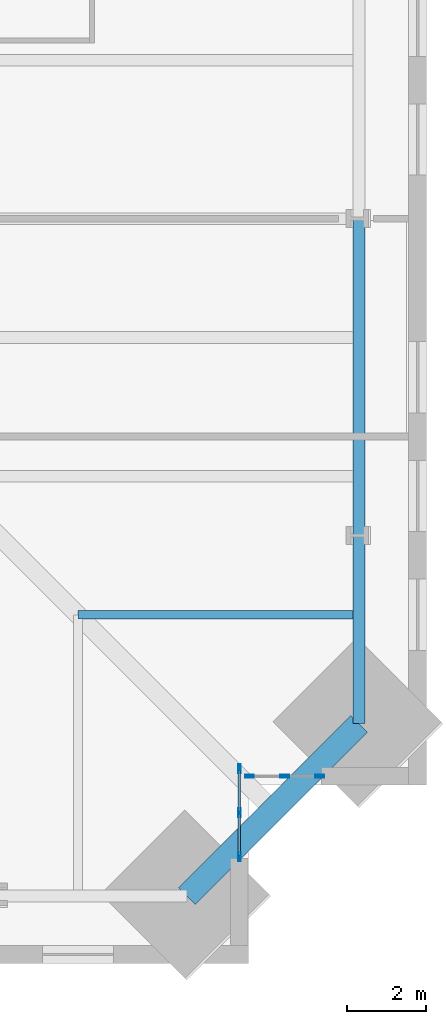
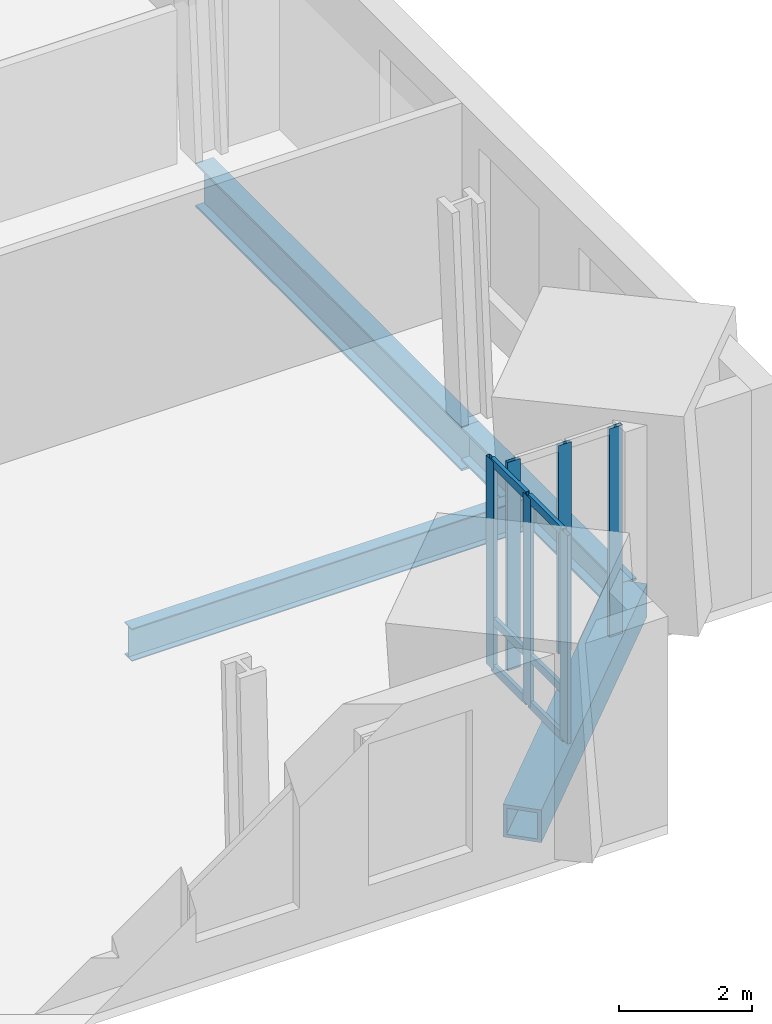
# One storey, part 4 of 17: 12 members, 4 beams, 2 elements without a shape of their own.
"""IFC4 building model written with IfcOpenShell, lengths in metres."""

from ifc_helpers import new_model, si_unit, direction, frame, origin, origin_2d, place, context, subcontext, project, spatial, hollow_rectangle, i_section, extrude, material, material_profile, profile_set, type_object, element, aggregate, save


model = new_model("IFC4")

# Units and contexts
model_context = context("Model", 3, precision=1e-05, world=origin(), true_north=direction((0.0, 1.0)))
body_context = subcontext(model_context, "Body", "Model", "MODEL_VIEW")
ifc_project = project(units=[si_unit("LENGTHUNIT", "METRE"), si_unit("AREAUNIT", "SQUARE_METRE"), si_unit("VOLUMEUNIT", "CUBIC_METRE"), si_unit("PLANEANGLEUNIT", "RADIAN"), si_unit("MASSUNIT", "GRAM", prefix="KILO")], contexts=[model_context])

# Site, building, storey
site_placement = place(None, origin())
site = spatial("IfcSite", under=ifc_project, at=site_placement, CompositionType="ELEMENT")
building_placement = place(site_placement, origin())
building = spatial("IfcBuilding", under=site, at=building_placement, Name="Peilmerk Tower", CompositionType="ELEMENT")
storey_placement = place(building_placement, frame((0.0, 0.0, 143.800048828125)))
storey = spatial("IfcBuildingStorey", under=building, at=storey_placement, Name="L29", CompositionType="ELEMENT", Elevation=143.800048828125)

# Beams
ifc_material_1 = material(Name="Steel S355", Category="steel")
ifc_material_profile_1 = material_profile(ifc_material_1, i_section(OverallWidth=0.219970703125, OverallDepth=0.60009765625, WebThickness=0.011962890625, FlangeThickness=0.01904296875, at=origin_2d()), Name="IPE 600")
ifc_profile_set_1 = profile_set([ifc_material_profile_1], Name="Steel S355")
beam_type_1 = type_object("IfcBeamType", Name="B10 IPE 600 floor beam", PredefinedType="BEAM", material=ifc_profile_set_1)
beam_1_placement = place(storey_placement, frame((18.0, -18.0, -0.469970703125), z_axis=(1.0, 0.0, 0.0), x_axis=(0.0, 1.0, 0.0)))
element("IfcBeam", 1, at=beam_1_placement, inside=storey, type_object=beam_type_1, Name="Floor beam L29", PredefinedType="BEAM", context=body_context, shape_type="SweptSolid", body=[
    extrude(i_section(OverallWidth=0.219970703125, OverallDepth=0.60009765625, WebThickness=0.011962890625, FlangeThickness=0.01904296875, at=origin_2d()), origin(), (0.0, 0.0, 1.0), 7.098388671875),
])
ifc_material_profile_2 = material_profile(ifc_material_1, i_section(OverallWidth=0.302978515625, OverallDepth=0.81396484375, WebThickness=0.02099609375, FlangeThickness=0.0400390625, at=origin_2d()), Name="HEM 800")
ifc_profile_set_2 = profile_set([ifc_material_profile_2], Name="Steel S355")
beam_type_2 = type_object("IfcBeamType", Name="B15 HEM 800 edge beam", PredefinedType="SPANDREL", material=ifc_profile_set_2)
beam_2_placement = place(storey_placement, frame((25.098388671875, -16.0, -0.5771484375), z_axis=(0.0, 1.0, 0.0), x_axis=(-1.0, 0.0, 0.0)))
element("IfcBeam", 2, at=beam_2_placement, inside=storey, type_object=beam_type_2, Name="Edge beam L29", PredefinedType="SPANDREL", context=body_context, shape_type="SweptSolid", body=[
    extrude(i_section(OverallWidth=0.302978515625, OverallDepth=0.81396484375, WebThickness=0.02099609375, FlangeThickness=0.0400390625, at=origin_2d()), origin(), (0.0, 0.0, 1.0), 8.0),
])
ifc_material_2 = material(Name="Steel S460", Category="steel")
ifc_material_profile_3 = material_profile(ifc_material_2, hollow_rectangle(XDim=0.60009765625, YDim=0.60009765625, WallThickness=0.06005859375, at=origin_2d()), Name="BOX 600x600x60")
ifc_profile_set_3 = profile_set([ifc_material_profile_3], Name="Steel S460")
beam_type_3 = type_object("IfcBeamType", Name="B20 BOX 600x600x60 notch beam", PredefinedType="SPANDREL", material=ifc_profile_set_3)
beam_3_placement = place(storey_placement, frame((25.098388671875, -20.748291015625, -0.469970703125), z_axis=(-0.707106781187, -0.707106781187, 0.0), x_axis=(0.707106781187, -0.707106781187, 0.0)))
element("IfcBeam", 3, at=beam_3_placement, inside=storey, type_object=beam_type_3, Name="Notch beam L29", PredefinedType="SPANDREL", context=body_context, shape_type="SweptSolid", body=[
    extrude(hollow_rectangle(XDim=0.60009765625, YDim=0.60009765625, WallThickness=0.06005859375, at=origin_2d()), origin(), (0.0, 0.0, 1.0), 6.15185546875),
])
ifc_material_profile_4 = material_profile(ifc_material_1, i_section(OverallWidth=0.304931640625, OverallDepth=0.6201171875, WebThickness=0.02099609375, FlangeThickness=0.0400390625, at=origin_2d()), Name="HEM 600")
ifc_profile_set_4 = profile_set([ifc_material_profile_4], Name="Steel S355")
beam_type_4 = type_object("IfcBeamType", Name="B31 HEM 600 edge beam", PredefinedType="SPANDREL", material=ifc_profile_set_4)
beam_4_placement = place(storey_placement, frame((25.098388671875, -20.748291015625, -0.47998046875), z_axis=(0.0, 1.0, 0.0), x_axis=(-1.0, 0.0, 0.0)))
element("IfcBeam", 4, at=beam_4_placement, inside=storey, type_object=beam_type_4, Name="Edge beam L29", PredefinedType="SPANDREL", context=body_context, shape_type="SweptSolid", body=[
    extrude(i_section(OverallWidth=0.304931640625, OverallDepth=0.6201171875, WebThickness=0.02099609375, FlangeThickness=0.0400390625, at=origin_2d()), origin(), (0.0, 0.0, 1.0), 4.748291015625),
])

# Curtain wall, members
ifc_material_3 = material(Name="Aluminium stick curtain wall", Category="aluminium")
curtain_wall_type = type_object("IfcCurtainWallType", Name="CW3 stick curtain wall, 2250 module", PredefinedType="NOTDEFINED", material=ifc_material_3)
curtain_wall_1_placement = place(storey_placement, origin())
curtain_wall_1 = element("IfcCurtainWall", 5, at=curtain_wall_1_placement, inside=storey, type_object=curtain_wall_type, Name="Curtain wall CW3 SEA L29", PredefinedType="NOTDEFINED")
ifc_material_4 = material(Name="Aluminium EN AW-6063 T6", Category="aluminium")
ifc_material_profile_5 = material_profile(ifc_material_4, hollow_rectangle(XDim=0.06494140625, YDim=0.22509765625, WallThickness=0.00390625, at=origin_2d()), Name="AL 225x65x4")
ifc_profile_set_5 = profile_set([ifc_material_profile_5], Name="Aluminium EN AW-6063 T6")
member_type_1 = type_object("IfcMemberType", Name="CW3-M AL 225x65x4 mullion", PredefinedType="MULLION", material=ifc_profile_set_5)
member_1_placement = place(storey_placement, frame((22.074951171875, -21.882568359375, 0.0), z_axis=(0.0, 0.0, 1.0), x_axis=(1.0, 0.0, 0.0)))
member_1 = element("IfcMember", 6, at=member_1_placement, type_object=member_type_1, Name="CW3 mullion 1", PredefinedType="MULLION", context=body_context, shape_type="SweptSolid", body=[
    extrude(hollow_rectangle(XDim=0.06494140625, YDim=0.22509765625, WallThickness=0.00390625, at=origin_2d()), origin(), (0.0, 0.0, 1.0), 3.829833984375),
])
member_2_placement = place(storey_placement, frame((22.074951171875, -22.994384765625, 0.0), z_axis=(0.0, 0.0, 1.0), x_axis=(1.0, 0.0, 0.0)))
member_2 = element("IfcMember", 7, at=member_2_placement, type_object=member_type_1, Name="CW3 mullion 2", PredefinedType="MULLION", context=body_context, shape_type="SweptSolid", body=[
    extrude(hollow_rectangle(XDim=0.06494140625, YDim=0.22509765625, WallThickness=0.00390625, at=origin_2d()), origin(), (0.0, 0.0, 1.0), 3.829833984375),
])
member_3_placement = place(storey_placement, frame((22.074951171875, -24.106201171875, 0.0), z_axis=(0.0, 0.0, 1.0), x_axis=(1.0, 0.0, 0.0)))
member_3 = element("IfcMember", 8, at=member_3_placement, type_object=member_type_1, Name="CW3 mullion 3", PredefinedType="MULLION", context=body_context, shape_type="SweptSolid", body=[
    extrude(hollow_rectangle(XDim=0.06494140625, YDim=0.22509765625, WallThickness=0.00390625, at=origin_2d()), origin(), (0.0, 0.0, 1.0), 3.829833984375),
])

curtain_wall_2_placement = place(storey_placement, origin())
curtain_wall_2 = element("IfcCurtainWall", 9, at=curtain_wall_2_placement, inside=storey, type_object=curtain_wall_type, Name="Curtain wall CW3 SEB L29", PredefinedType="NOTDEFINED")
member_4_placement = place(storey_placement, frame((22.33251953125, -22.074951171875, 0.0), z_axis=(0.0, 0.0, 1.0), x_axis=(0.0, 1.0, 0.0)))
member_4 = element("IfcMember", 10, at=member_4_placement, type_object=member_type_1, Name="CW3 mullion 1", PredefinedType="MULLION", context=body_context, shape_type="SweptSolid", body=[
    extrude(hollow_rectangle(XDim=0.06494140625, YDim=0.22509765625, WallThickness=0.00390625, at=origin_2d()), origin(), (0.0, 0.0, 1.0), 3.829833984375),
])
member_5_placement = place(storey_placement, frame((23.21923828125, -22.074951171875, 0.0), z_axis=(0.0, 0.0, 1.0), x_axis=(0.0, 1.0, 0.0)))
member_5 = element("IfcMember", 11, at=member_5_placement, type_object=member_type_1, Name="CW3 mullion 2", PredefinedType="MULLION", context=body_context, shape_type="SweptSolid", body=[
    extrude(hollow_rectangle(XDim=0.06494140625, YDim=0.22509765625, WallThickness=0.00390625, at=origin_2d()), origin(), (0.0, 0.0, 1.0), 3.829833984375),
])
member_6_placement = place(storey_placement, frame((24.106201171875, -22.074951171875, 0.0), z_axis=(0.0, 0.0, 1.0), x_axis=(0.0, 1.0, 0.0)))
member_6 = element("IfcMember", 12, at=member_6_placement, type_object=member_type_1, Name="CW3 mullion 3", PredefinedType="MULLION", context=body_context, shape_type="SweptSolid", body=[
    extrude(hollow_rectangle(XDim=0.06494140625, YDim=0.22509765625, WallThickness=0.00390625, at=origin_2d()), origin(), (0.0, 0.0, 1.0), 3.829833984375),
])
aggregate(curtain_wall_2, [member_4, member_5, member_6])

# Member
ifc_material_profile_6 = material_profile(ifc_material_4, hollow_rectangle(XDim=0.06494140625, YDim=0.14990234375, WallThickness=0.0029296875, at=origin_2d()), Name="AL 150x65x3")
ifc_profile_set_6 = profile_set([ifc_material_profile_6], Name="Aluminium EN AW-6063 T6")
member_type_2 = type_object("IfcMemberType", Name="CW3-T AL 150x65x3 transom", PredefinedType="USERDEFINED", material=ifc_profile_set_6)
member_7_placement = place(storey_placement, frame((22.074951171875, -21.9150390625, 0.032470703125), z_axis=(0.0, -1.0, 0.0), x_axis=(1.0, 0.0, 0.0)))
member_7 = element("IfcMember", 13, at=member_7_placement, type_object=member_type_2, Name="CW3 transom 1.1", ObjectType="TRANSOM", PredefinedType="USERDEFINED", context=body_context, shape_type="SweptSolid", body=[
    extrude(hollow_rectangle(XDim=0.06494140625, YDim=0.14990234375, WallThickness=0.0029296875, at=origin_2d()), origin(), (0.0, 0.0, 1.0), 1.046875),
])

member_8_placement = place(storey_placement, frame((22.074951171875, -21.9150390625, 0.89990234375), z_axis=(0.0, -1.0, 0.0), x_axis=(1.0, 0.0, 0.0)))
member_8 = element("IfcMember", 14, at=member_8_placement, type_object=member_type_2, Name="CW3 transom 1.2", ObjectType="TRANSOM", PredefinedType="USERDEFINED", context=body_context, shape_type="SweptSolid", body=[
    extrude(hollow_rectangle(XDim=0.06494140625, YDim=0.14990234375, WallThickness=0.0029296875, at=origin_2d()), origin(), (0.0, 0.0, 1.0), 1.046875),
])

member_9_placement = place(storey_placement, frame((22.074951171875, -21.9150390625, 3.79736328125), z_axis=(0.0, -1.0, 0.0), x_axis=(1.0, 0.0, 0.0)))
member_9 = element("IfcMember", 15, at=member_9_placement, type_object=member_type_2, Name="CW3 transom 1.3", ObjectType="TRANSOM", PredefinedType="USERDEFINED", context=body_context, shape_type="SweptSolid", body=[
    extrude(hollow_rectangle(XDim=0.06494140625, YDim=0.14990234375, WallThickness=0.0029296875, at=origin_2d()), origin(), (0.0, 0.0, 1.0), 1.046875),
])

member_10_placement = place(storey_placement, frame((22.074951171875, -23.02685546875, 0.032470703125), z_axis=(0.0, -1.0, 0.0), x_axis=(1.0, 0.0, 0.0)))
member_10 = element("IfcMember", 16, at=member_10_placement, type_object=member_type_2, Name="CW3 transom 2.1", ObjectType="TRANSOM", PredefinedType="USERDEFINED", context=body_context, shape_type="SweptSolid", body=[
    extrude(hollow_rectangle(XDim=0.06494140625, YDim=0.14990234375, WallThickness=0.0029296875, at=origin_2d()), origin(), (0.0, 0.0, 1.0), 1.046875),
])

member_11_placement = place(storey_placement, frame((22.074951171875, -23.02685546875, 0.89990234375), z_axis=(0.0, -1.0, 0.0), x_axis=(1.0, 0.0, 0.0)))
member_11 = element("IfcMember", 17, at=member_11_placement, type_object=member_type_2, Name="CW3 transom 2.2", ObjectType="TRANSOM", PredefinedType="USERDEFINED", context=body_context, shape_type="SweptSolid", body=[
    extrude(hollow_rectangle(XDim=0.06494140625, YDim=0.14990234375, WallThickness=0.0029296875, at=origin_2d()), origin(), (0.0, 0.0, 1.0), 1.046875),
])

member_12_placement = place(storey_placement, frame((22.074951171875, -23.02685546875, 3.79736328125), z_axis=(0.0, -1.0, 0.0), x_axis=(1.0, 0.0, 0.0)))
member_12 = element("IfcMember", 18, at=member_12_placement, type_object=member_type_2, Name="CW3 transom 2.3", ObjectType="TRANSOM", PredefinedType="USERDEFINED", context=body_context, shape_type="SweptSolid", body=[
    extrude(hollow_rectangle(XDim=0.06494140625, YDim=0.14990234375, WallThickness=0.0029296875, at=origin_2d()), origin(), (0.0, 0.0, 1.0), 1.046875),
])

aggregate(curtain_wall_1, [member_1, member_2, member_3, member_7, member_8, member_9, member_10, member_11, member_12])

save(model, "model.ifc")
